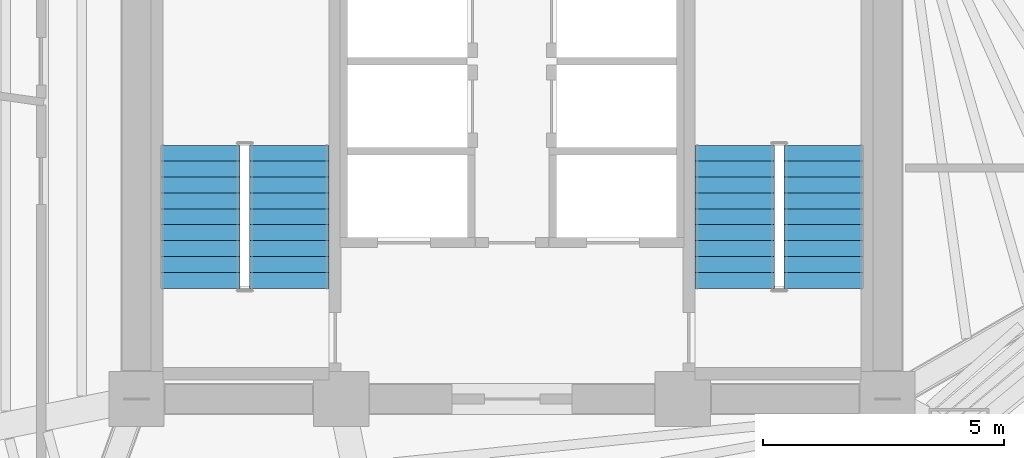
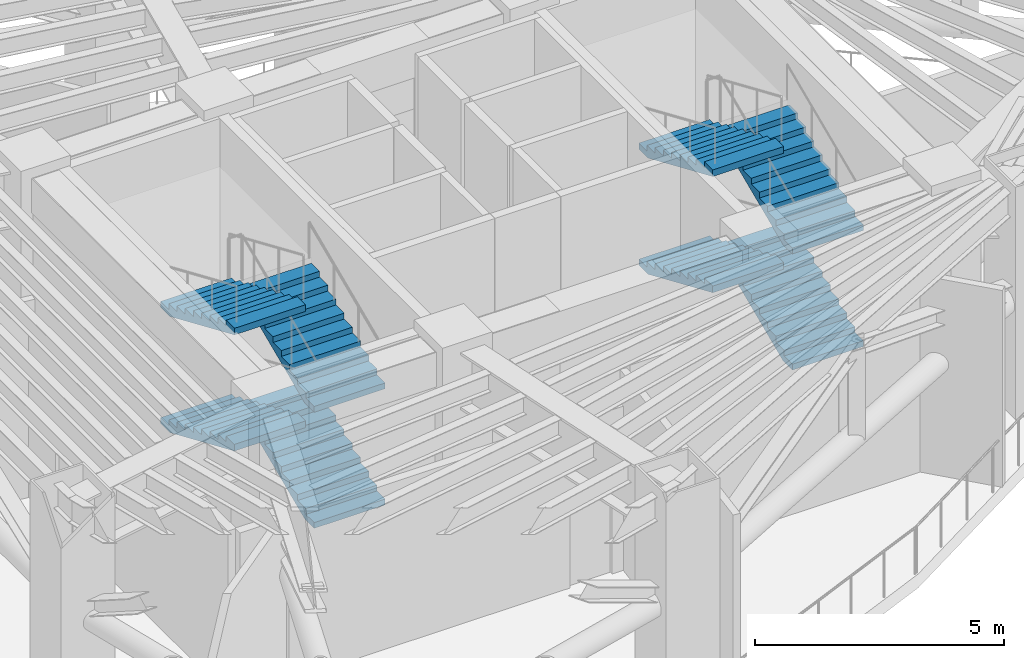
# One storey, part 5 of 7: 8 stair flights, 2 elements without a shape of their own.
"""IFC4 building model written with IfcOpenShell, lengths in metres."""

from ifc_helpers import new_model, si_unit, direction, frame, origin, place, context, subcontext, project, spatial, polyline, outline, extrude, material, type_object, element, aggregate, save


model = new_model("IFC4")

# Units and contexts
model_context = context("Model", 3, precision=1e-05, world=origin(), true_north=direction((0.0, 1.0)))
body_context = subcontext(model_context, "Body", "Model", "MODEL_VIEW")
ifc_project = project(units=[si_unit("LENGTHUNIT", "METRE"), si_unit("AREAUNIT", "SQUARE_METRE"), si_unit("VOLUMEUNIT", "CUBIC_METRE"), si_unit("PLANEANGLEUNIT", "RADIAN"), si_unit("MASSUNIT", "GRAM", prefix="KILO")], contexts=[model_context])

# Site, building, storey
site_placement = place(None, origin())
site = spatial("IfcSite", under=ifc_project, at=site_placement, CompositionType="ELEMENT")
building_placement = place(site_placement, origin())
building = spatial("IfcBuilding", under=site, at=building_placement, Name="Menara Vayukalpa", CompositionType="ELEMENT")
storey_placement = place(building_placement, frame((0.0, 0.0, 83.39990234375)))
storey = spatial("IfcBuildingStorey", under=building, at=storey_placement, Name="L20", CompositionType="ELEMENT", Elevation=83.39990234375)

# Stair, stair flights
ifc_material_1 = material(Name="Precast Concrete C40/50", Category="concrete")
stair_type = type_object("IfcStairType", Name="STR-T05", PredefinedType="DOUBLE_RETURN_STAIR", material=ifc_material_1)
stair_1_placement = place(storey_placement, origin())
stair_1 = element("IfcStair", 1, at=stair_1_placement, inside=storey, type_object=stair_type, Name="L20 Core Exit Stair ST-1", PredefinedType="DOUBLE_RETURN_STAIR")
ifc_material_2 = material(Name="Precast Concrete C40/50", Category="concrete")
stair_flight_type = type_object("IfcStairFlightType", Name="STF-T05", PredefinedType="STRAIGHT", material=ifc_material_2)
stair_flight_1_placement = place(storey_placement, frame((20.97509765625, 19.5, 0.0), z_axis=(0.0, 0.0, 1.0), x_axis=(0.0, 1.0, 0.0)))
stair_flight_1 = element("IfcStairFlight", 2, at=stair_flight_1_placement, type_object=stair_flight_type, Name="ST-1 flight 1", NumberOfRisers=10, NumberOfTreads=9, PredefinedType="STRAIGHT", RiserHeight=0.1425, TreadLength=0.33, context=body_context, shape_type="SweptSolid", body=[
    extrude(outline(polyline([(0.0, 0.0), (0.0, 0.142578125), (0.330078125, 0.142578125), (0.330078125, 0.284912109375), (0.659912109375, 0.284912109375), (0.659912109375, 0.427490234375), (0.989990234375, 0.427490234375), (0.989990234375, 0.570068359375), (1.320068359375, 0.570068359375), (1.320068359375, 0.71240234375), (1.64990234375, 0.71240234375), (1.64990234375, 0.85498046875), (1.97998046875, 0.85498046875), (1.97998046875, 0.99755859375), (2.31005859375, 0.99755859375), (2.31005859375, 1.139892578125), (2.639892578125, 1.139892578125), (2.639892578125, 1.282470703125), (2.969970703125, 1.282470703125), (2.969970703125, 1.425048828125), (2.969970703125, 1.119140625), (0.378173828125, 0.0), (0.0, 0.0)])), frame((0.0, 0.824951171875, 0.0), z_axis=(0.0, -1.0, 0.0), x_axis=(1.0, 0.0, 0.0)), (0.0, 0.0, 1.0), 1.64990234375),
])
stair_flight_2_placement = place(storey_placement, frame((19.125, 22.469970703125, 1.425048828125), z_axis=(0.0, 0.0, 1.0), x_axis=(0.0, -1.0, 0.0)))
stair_flight_2 = element("IfcStairFlight", 3, at=stair_flight_2_placement, type_object=stair_flight_type, Name="ST-1 flight 2", NumberOfRisers=10, NumberOfTreads=9, PredefinedType="STRAIGHT", RiserHeight=0.1425, TreadLength=0.33, context=body_context, shape_type="SweptSolid", body=[
    extrude(outline(polyline([(0.0, 0.0), (0.0, 0.142578125), (0.330078125, 0.142578125), (0.330078125, 0.284912109375), (0.659912109375, 0.284912109375), (0.659912109375, 0.427490234375), (0.989990234375, 0.427490234375), (0.989990234375, 0.570068359375), (1.320068359375, 0.570068359375), (1.320068359375, 0.71240234375), (1.64990234375, 0.71240234375), (1.64990234375, 0.85498046875), (1.97998046875, 0.85498046875), (1.97998046875, 0.99755859375), (2.31005859375, 0.99755859375), (2.31005859375, 1.139892578125), (2.639892578125, 1.139892578125), (2.639892578125, 1.282470703125), (2.969970703125, 1.282470703125), (2.969970703125, 1.425048828125), (2.969970703125, 1.119140625), (0.378173828125, 0.0), (0.0, 0.0)])), frame((0.0, 0.824951171875, 0.0), z_axis=(0.0, -1.0, 0.0), x_axis=(1.0, 0.0, 0.0)), (0.0, 0.0, 1.0), 1.64990234375),
])
stair_flight_3_placement = place(storey_placement, frame((20.97509765625, 19.5, 2.85009765625), z_axis=(0.0, 0.0, 1.0), x_axis=(0.0, 1.0, 0.0)))
stair_flight_3 = element("IfcStairFlight", 4, at=stair_flight_3_placement, type_object=stair_flight_type, Name="ST-1 flight 3", NumberOfRisers=10, NumberOfTreads=9, PredefinedType="STRAIGHT", RiserHeight=0.1425, TreadLength=0.33, context=body_context, shape_type="SweptSolid", body=[
    extrude(outline(polyline([(0.0, 0.0), (0.0, 0.142578125), (0.330078125, 0.142578125), (0.330078125, 0.284912109375), (0.659912109375, 0.284912109375), (0.659912109375, 0.427490234375), (0.989990234375, 0.427490234375), (0.989990234375, 0.570068359375), (1.320068359375, 0.570068359375), (1.320068359375, 0.71240234375), (1.64990234375, 0.71240234375), (1.64990234375, 0.85498046875), (1.97998046875, 0.85498046875), (1.97998046875, 0.99755859375), (2.31005859375, 0.99755859375), (2.31005859375, 1.139892578125), (2.639892578125, 1.139892578125), (2.639892578125, 1.282470703125), (2.969970703125, 1.282470703125), (2.969970703125, 1.425048828125), (2.969970703125, 1.119140625), (0.378173828125, 0.0), (0.0, 0.0)])), frame((0.0, 0.824951171875, 0.0), z_axis=(0.0, -1.0, 0.0), x_axis=(1.0, 0.0, 0.0)), (0.0, 0.0, 1.0), 1.64990234375),
])
stair_flight_4_placement = place(storey_placement, frame((19.125, 22.469970703125, 4.275146484375), z_axis=(0.0, 0.0, 1.0), x_axis=(0.0, -1.0, 0.0)))
stair_flight_4 = element("IfcStairFlight", 5, at=stair_flight_4_placement, type_object=stair_flight_type, Name="ST-1 flight 4", NumberOfRisers=10, NumberOfTreads=9, PredefinedType="STRAIGHT", RiserHeight=0.1425, TreadLength=0.33, context=body_context, shape_type="SweptSolid", body=[
    extrude(outline(polyline([(0.0, 0.0), (0.0, 0.142578125), (0.330078125, 0.142578125), (0.330078125, 0.284912109375), (0.659912109375, 0.284912109375), (0.659912109375, 0.427490234375), (0.989990234375, 0.427490234375), (0.989990234375, 0.570068359375), (1.320068359375, 0.570068359375), (1.320068359375, 0.71240234375), (1.64990234375, 0.71240234375), (1.64990234375, 0.85498046875), (1.97998046875, 0.85498046875), (1.97998046875, 0.99755859375), (2.31005859375, 0.99755859375), (2.31005859375, 1.139892578125), (2.639892578125, 1.139892578125), (2.639892578125, 1.282470703125), (2.969970703125, 1.282470703125), (2.969970703125, 1.425048828125), (2.969970703125, 1.119140625), (0.378173828125, 0.0), (0.0, 0.0)])), frame((0.0, 0.824951171875, 0.0), z_axis=(0.0, -1.0, 0.0), x_axis=(1.0, 0.0, 0.0)), (0.0, 0.0, 1.0), 1.64990234375),
])
aggregate(stair_1, [stair_flight_1, stair_flight_2, stair_flight_3, stair_flight_4])

stair_2_placement = place(storey_placement, origin())
stair_2 = element("IfcStair", 6, at=stair_2_placement, inside=storey, type_object=stair_type, Name="L20 Core Exit Stair ST-2", PredefinedType="DOUBLE_RETURN_STAIR")
stair_flight_5_placement = place(storey_placement, frame((32.074951171875, 19.5, 0.0), z_axis=(0.0, 0.0, 1.0), x_axis=(0.0, 1.0, 0.0)))
stair_flight_5 = element("IfcStairFlight", 7, at=stair_flight_5_placement, type_object=stair_flight_type, Name="ST-2 flight 1", NumberOfRisers=10, NumberOfTreads=9, PredefinedType="STRAIGHT", RiserHeight=0.1425, TreadLength=0.33, context=body_context, shape_type="SweptSolid", body=[
    extrude(outline(polyline([(0.0, 0.0), (0.0, 0.142578125), (0.330078125, 0.142578125), (0.330078125, 0.284912109375), (0.659912109375, 0.284912109375), (0.659912109375, 0.427490234375), (0.989990234375, 0.427490234375), (0.989990234375, 0.570068359375), (1.320068359375, 0.570068359375), (1.320068359375, 0.71240234375), (1.64990234375, 0.71240234375), (1.64990234375, 0.85498046875), (1.97998046875, 0.85498046875), (1.97998046875, 0.99755859375), (2.31005859375, 0.99755859375), (2.31005859375, 1.139892578125), (2.639892578125, 1.139892578125), (2.639892578125, 1.282470703125), (2.969970703125, 1.282470703125), (2.969970703125, 1.425048828125), (2.969970703125, 1.119140625), (0.378173828125, 0.0), (0.0, 0.0)])), frame((0.0, 0.824951171875, 0.0), z_axis=(0.0, -1.0, 0.0), x_axis=(1.0, 0.0, 0.0)), (0.0, 0.0, 1.0), 1.64990234375),
])
stair_flight_6_placement = place(storey_placement, frame((30.22509765625, 22.469970703125, 1.425048828125), z_axis=(0.0, 0.0, 1.0), x_axis=(0.0, -1.0, 0.0)))
stair_flight_6 = element("IfcStairFlight", 8, at=stair_flight_6_placement, type_object=stair_flight_type, Name="ST-2 flight 2", NumberOfRisers=10, NumberOfTreads=9, PredefinedType="STRAIGHT", RiserHeight=0.1425, TreadLength=0.33, context=body_context, shape_type="SweptSolid", body=[
    extrude(outline(polyline([(0.0, 0.0), (0.0, 0.142578125), (0.330078125, 0.142578125), (0.330078125, 0.284912109375), (0.659912109375, 0.284912109375), (0.659912109375, 0.427490234375), (0.989990234375, 0.427490234375), (0.989990234375, 0.570068359375), (1.320068359375, 0.570068359375), (1.320068359375, 0.71240234375), (1.64990234375, 0.71240234375), (1.64990234375, 0.85498046875), (1.97998046875, 0.85498046875), (1.97998046875, 0.99755859375), (2.31005859375, 0.99755859375), (2.31005859375, 1.139892578125), (2.639892578125, 1.139892578125), (2.639892578125, 1.282470703125), (2.969970703125, 1.282470703125), (2.969970703125, 1.425048828125), (2.969970703125, 1.119140625), (0.378173828125, 0.0), (0.0, 0.0)])), frame((0.0, 0.824951171875, 0.0), z_axis=(0.0, -1.0, 0.0), x_axis=(1.0, 0.0, 0.0)), (0.0, 0.0, 1.0), 1.64990234375),
])
stair_flight_7_placement = place(storey_placement, frame((32.074951171875, 19.5, 2.85009765625), z_axis=(0.0, 0.0, 1.0), x_axis=(0.0, 1.0, 0.0)))
stair_flight_7 = element("IfcStairFlight", 9, at=stair_flight_7_placement, type_object=stair_flight_type, Name="ST-2 flight 3", NumberOfRisers=10, NumberOfTreads=9, PredefinedType="STRAIGHT", RiserHeight=0.1425, TreadLength=0.33, context=body_context, shape_type="SweptSolid", body=[
    extrude(outline(polyline([(0.0, 0.0), (0.0, 0.142578125), (0.330078125, 0.142578125), (0.330078125, 0.284912109375), (0.659912109375, 0.284912109375), (0.659912109375, 0.427490234375), (0.989990234375, 0.427490234375), (0.989990234375, 0.570068359375), (1.320068359375, 0.570068359375), (1.320068359375, 0.71240234375), (1.64990234375, 0.71240234375), (1.64990234375, 0.85498046875), (1.97998046875, 0.85498046875), (1.97998046875, 0.99755859375), (2.31005859375, 0.99755859375), (2.31005859375, 1.139892578125), (2.639892578125, 1.139892578125), (2.639892578125, 1.282470703125), (2.969970703125, 1.282470703125), (2.969970703125, 1.425048828125), (2.969970703125, 1.119140625), (0.378173828125, 0.0), (0.0, 0.0)])), frame((0.0, 0.824951171875, 0.0), z_axis=(0.0, -1.0, 0.0), x_axis=(1.0, 0.0, 0.0)), (0.0, 0.0, 1.0), 1.64990234375),
])
stair_flight_8_placement = place(storey_placement, frame((30.22509765625, 22.469970703125, 4.275146484375), z_axis=(0.0, 0.0, 1.0), x_axis=(0.0, -1.0, 0.0)))
stair_flight_8 = element("IfcStairFlight", 10, at=stair_flight_8_placement, type_object=stair_flight_type, Name="ST-2 flight 4", NumberOfRisers=10, NumberOfTreads=9, PredefinedType="STRAIGHT", RiserHeight=0.1425, TreadLength=0.33, context=body_context, shape_type="SweptSolid", body=[
    extrude(outline(polyline([(0.0, 0.0), (0.0, 0.142578125), (0.330078125, 0.142578125), (0.330078125, 0.284912109375), (0.659912109375, 0.284912109375), (0.659912109375, 0.427490234375), (0.989990234375, 0.427490234375), (0.989990234375, 0.570068359375), (1.320068359375, 0.570068359375), (1.320068359375, 0.71240234375), (1.64990234375, 0.71240234375), (1.64990234375, 0.85498046875), (1.97998046875, 0.85498046875), (1.97998046875, 0.99755859375), (2.31005859375, 0.99755859375), (2.31005859375, 1.139892578125), (2.639892578125, 1.139892578125), (2.639892578125, 1.282470703125), (2.969970703125, 1.282470703125), (2.969970703125, 1.425048828125), (2.969970703125, 1.119140625), (0.378173828125, 0.0), (0.0, 0.0)])), frame((0.0, 0.824951171875, 0.0), z_axis=(0.0, -1.0, 0.0), x_axis=(1.0, 0.0, 0.0)), (0.0, 0.0, 1.0), 1.64990234375),
])
aggregate(stair_2, [stair_flight_5, stair_flight_6, stair_flight_7, stair_flight_8])

save(model, "model.ifc")
